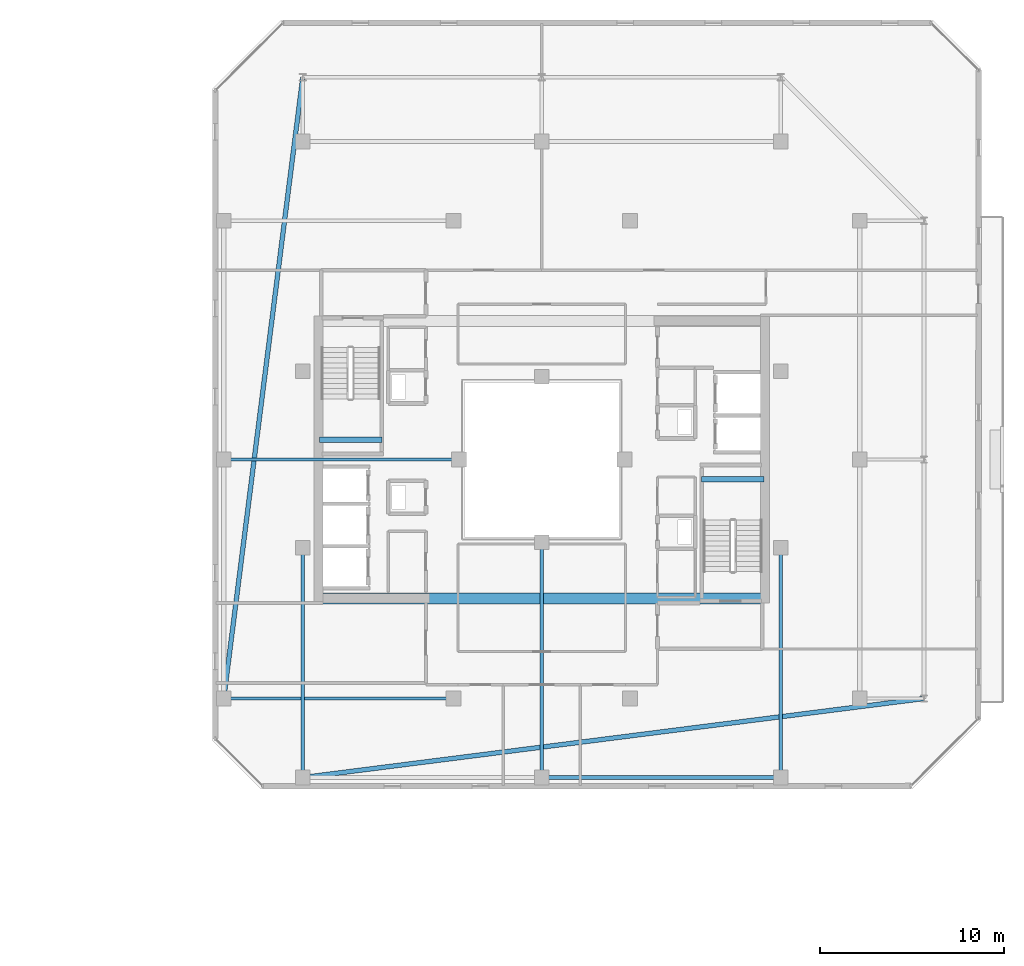
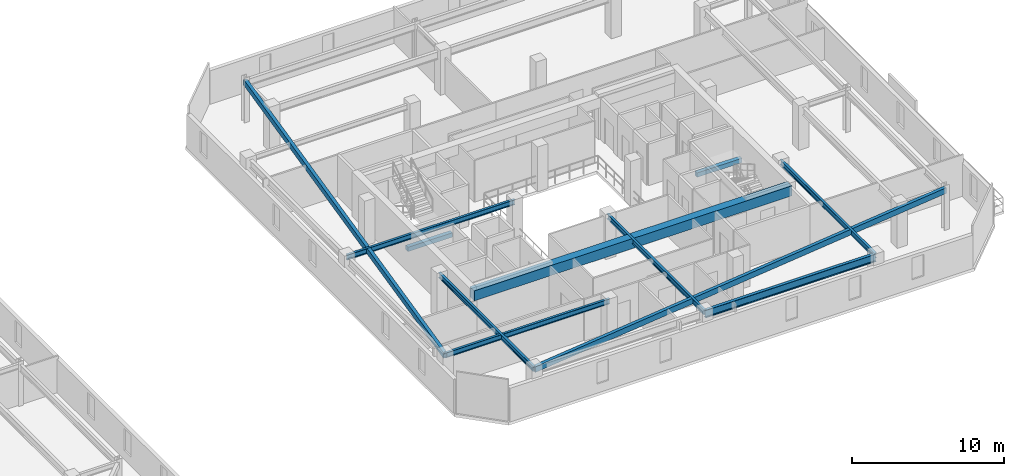
# One storey, part 15 of 34: 11 beams.
"""IFC4 building model written with IfcOpenShell, lengths in metres."""

from ifc_helpers import new_model, si_unit, direction, frame, origin, origin_2d, place, context, subcontext, project, spatial, rectangle, hollow_rectangle, i_section, extrude, material, material_profile, profile_set, type_object, element, save


model = new_model("IFC4")

# Units and contexts
model_context = context("Model", 3, precision=1e-05, world=origin(), true_north=direction((0.0, 1.0)))
body_context = subcontext(model_context, "Body", "Model", "MODEL_VIEW")
ifc_project = project(units=[si_unit("LENGTHUNIT", "METRE"), si_unit("AREAUNIT", "SQUARE_METRE"), si_unit("VOLUMEUNIT", "CUBIC_METRE"), si_unit("PLANEANGLEUNIT", "RADIAN"), si_unit("MASSUNIT", "GRAM", prefix="KILO")], contexts=[model_context])

# Site, building, storey
site_placement = place(None, origin())
site = spatial("IfcSite", under=ifc_project, at=site_placement, CompositionType="ELEMENT")
building_placement = place(site_placement, origin())
building = spatial("IfcBuilding", under=site, at=building_placement, Name="Thornwick Lancets Civic Towers", CompositionType="ELEMENT")
storey_placement = place(building_placement, frame((0.0, 0.0, 261.89990234375)))
storey = spatial("IfcBuildingStorey", under=building, at=storey_placement, Name="L70", CompositionType="ELEMENT", Elevation=261.89990234375)

# Beams
ifc_material_1 = material(Name="Concrete C60/75", Category="concrete")
ifc_material_profile_1 = material_profile(ifc_material_1, rectangle(XDim=0.60009765625, YDim=0.800048828125, at=origin_2d()), Name="RC 600x800")
ifc_profile_set_1 = profile_set([ifc_material_profile_1], Name="Concrete C60/75")
beam_type_1 = type_object("IfcBeamType", Name="BM_COUP_RC800", PredefinedType="BEAM", material=ifc_profile_set_1)
beam_1_placement = place(storey_placement, frame((76.39990234375, 19.449951171875, 2.960205078125), z_axis=(1.0, 0.0, 0.0), x_axis=(0.0, 1.0, 0.0)))
element("IfcBeam", 1, at=beam_1_placement, inside=storey, type_object=beam_type_1, Name="CB-L70-B2", PredefinedType="BEAM", context=body_context, shape_type="SweptSolid", body=[
    extrude(rectangle(XDim=0.60009765625, YDim=0.800048828125, at=origin_2d()), origin(), (0.0, 0.0, 1.0), 24.2001953125),
])
ifc_material_2 = material(Name="Steel S355JR", Category="steel")
ifc_material_profile_2 = material_profile(ifc_material_2, i_section(OverallWidth=0.230224609375, OverallDepth=0.6171875, WebThickness=0.01318359375, FlangeThickness=0.022216796875, FilletRadius=0.0126953125, at=origin_2d()), Name="UKB 610x229x140")
ifc_profile_set_2 = profile_set([ifc_material_profile_2], Name="Steel S355JR")
beam_type_2 = type_object("IfcBeamType", Name="BM_GIRD_610_140", PredefinedType="BEAM", material=ifc_profile_set_2)
beam_2_placement = place(storey_placement, frame((101.5, 9.699951171875, 3.051513671875), z_axis=(-1.0, 0.0, 0.0), x_axis=(0.0, -1.0, 0.0)))
element("IfcBeam", 2, at=beam_2_placement, inside=storey, type_object=beam_type_2, Name="BM-SPINE-L70-B-9-10", PredefinedType="BEAM", context=body_context, shape_type="SweptSolid", body=[
    extrude(i_section(OverallWidth=0.230224609375, OverallDepth=0.6171875, WebThickness=0.01318359375, FlangeThickness=0.022216796875, FilletRadius=0.0126953125, at=origin_2d()), origin(), (0.0, 0.0, 1.0), 13.0),
])
ifc_material_profile_3 = material_profile(ifc_material_2, i_section(OverallWidth=0.179443359375, OverallDepth=0.412841796875, WebThickness=0.009521484375, FlangeThickness=0.01611328125, FilletRadius=0.01025390625, at=origin_2d()), Name="UKB 406x178x74")
ifc_profile_set_3 = profile_set([ifc_material_profile_3], Name="Steel S355JR")
beam_type_3 = type_object("IfcBeamType", Name="BM_JOIST_406_74", PredefinedType="JOIST", material=ifc_profile_set_3)
beam_3_placement = place(storey_placement, frame((83.699951171875, 14.0, 3.15380859375), z_axis=(-1.0, 0.0, 0.0), x_axis=(0.0, -1.0, 0.0)))
element("IfcBeam", 3, at=beam_3_placement, inside=storey, type_object=beam_type_3, Name="BM-RADIN-L70-B07", PredefinedType="JOIST", context=body_context, shape_type="SweptSolid", body=[
    extrude(i_section(OverallWidth=0.179443359375, OverallDepth=0.412841796875, WebThickness=0.009521484375, FlangeThickness=0.01611328125, FilletRadius=0.01025390625, at=origin_2d()), origin(), (0.0, 0.0, 1.0), 12.5),
])
beam_4_placement = place(storey_placement, frame((84.0, 27.0, 3.15380859375), z_axis=(-1.0, 0.0, 0.0), x_axis=(0.0, -1.0, 0.0)))
element("IfcBeam", 4, at=beam_4_placement, inside=storey, type_object=beam_type_3, Name="BM-RADIN-L70-B08", PredefinedType="JOIST", context=body_context, shape_type="SweptSolid", body=[
    extrude(i_section(OverallWidth=0.179443359375, OverallDepth=0.412841796875, WebThickness=0.009521484375, FlangeThickness=0.01611328125, FilletRadius=0.01025390625, at=origin_2d()), origin(), (0.0, 0.0, 1.0), 12.800048828125),
])
beam_5_placement = place(storey_placement, frame((101.5, 22.199951171875, 3.15380859375), z_axis=(0.0, -1.0, 0.0), x_axis=(1.0, 0.0, 0.0)))
element("IfcBeam", 5, at=beam_5_placement, inside=storey, type_object=beam_type_3, Name="BM-RADIN-L70-B10", PredefinedType="JOIST", context=body_context, shape_type="SweptSolid", body=[
    extrude(i_section(OverallWidth=0.179443359375, OverallDepth=0.412841796875, WebThickness=0.009521484375, FlangeThickness=0.01611328125, FilletRadius=0.01025390625, at=origin_2d()), origin(), (0.0, 0.0, 1.0), 12.5),
])
beam_6_placement = place(storey_placement, frame((88.5, 22.5, 3.15380859375), z_axis=(0.0, -1.0, 0.0), x_axis=(1.0, 0.0, 0.0)))
element("IfcBeam", 6, at=beam_6_placement, inside=storey, type_object=beam_type_3, Name="BM-RADIN-L70-B11", PredefinedType="JOIST", context=body_context, shape_type="SweptSolid", body=[
    extrude(i_section(OverallWidth=0.179443359375, OverallDepth=0.412841796875, WebThickness=0.009521484375, FlangeThickness=0.01611328125, FilletRadius=0.01025390625, at=origin_2d()), origin(), (0.0, 0.0, 1.0), 12.800048828125),
])
beam_7_placement = place(storey_placement, frame((75.5, 22.199951171875, 3.15380859375), z_axis=(0.0, -1.0, 0.0), x_axis=(1.0, 0.0, 0.0)))
element("IfcBeam", 7, at=beam_7_placement, inside=storey, type_object=beam_type_3, Name="BM-RADIN-L70-B12", PredefinedType="JOIST", context=body_context, shape_type="SweptSolid", body=[
    extrude(i_section(OverallWidth=0.179443359375, OverallDepth=0.412841796875, WebThickness=0.009521484375, FlangeThickness=0.01611328125, FilletRadius=0.01025390625, at=origin_2d()), origin(), (0.0, 0.0, 1.0), 12.5),
])
ifc_material_profile_4 = material_profile(ifc_material_2, hollow_rectangle(XDim=0.25, YDim=0.449951171875, WallThickness=0.01611328125, at=origin_2d()), Name="RHS 450x250x16")
ifc_profile_set_4 = profile_set([ifc_material_profile_4], Name="Steel S355JR")
beam_type_4 = type_object("IfcBeamType", Name="BM_RING_RHS450", PredefinedType="BEAM", material=ifc_profile_set_4)
for number, where, z_axis, x_axis, name in (
    (8, (75.5, 47.800048828125, 3.135009765625), (-0.126202998662, -0.992004437051, 0.0), (0.992004437051, -0.126202998662, 0.0), "BM-CHAMF-L70-B-C1"),
    (9, (75.5, 9.699951171875, 3.135009765625), (0.992004437051, 0.126202998662, 0.0), (-0.126202998662, 0.992004437051, 0.0), "BM-CHAMF-L70-B-C3"),
):
    element("IfcBeam", number, at=place(storey_placement, frame(where, z_axis=z_axis, x_axis=x_axis)), inside=storey, type_object=beam_type_4, Name=name, PredefinedType="BEAM", context=body_context, shape_type="SweptSolid", body=[
        extrude(hollow_rectangle(XDim=0.25, YDim=0.449951171875, WallThickness=0.01611328125, at=origin_2d()), origin(), (0.0, 0.0, 1.0), 34.072509765625),
    ])
ifc_material_3 = material(Name="Concrete C40/50", Category="concrete")
ifc_material_profile_5 = material_profile(ifc_material_3, rectangle(XDim=0.300048828125, YDim=0.35009765625, at=origin_2d()), Name="RC 300x350")
ifc_profile_set_5 = profile_set([ifc_material_profile_5], Name="Concrete C40/50")
beam_type_5 = type_object("IfcBeamType", Name="BM_STAIR_LDG", PredefinedType="BEAM", material=ifc_profile_set_5)
for number, where, z_axis, x_axis, name in (
    (10, (100.60009765625, 25.93505859375, 1.378173828125), (-1.0, 0.0, 0.0), (0.0, -1.0, 0.0), "L70 ST-B1 Landing Support Beam 1"),
    (11, (76.39990234375, 28.06494140625, 1.378173828125), (1.0, 0.0, 0.0), (0.0, 1.0, 0.0), "L70 ST-B2 Landing Support Beam 1"),
):
    element("IfcBeam", number, at=place(storey_placement, frame(where, z_axis=z_axis, x_axis=x_axis)), inside=storey, type_object=beam_type_5, Name=name, PredefinedType="BEAM", context=body_context, shape_type="SweptSolid", body=[
        extrude(rectangle(XDim=0.300048828125, YDim=0.35009765625, at=origin_2d()), origin(), (0.0, 0.0, 1.0), 3.400146484375),
    ])

save(model, "model.ifc")
